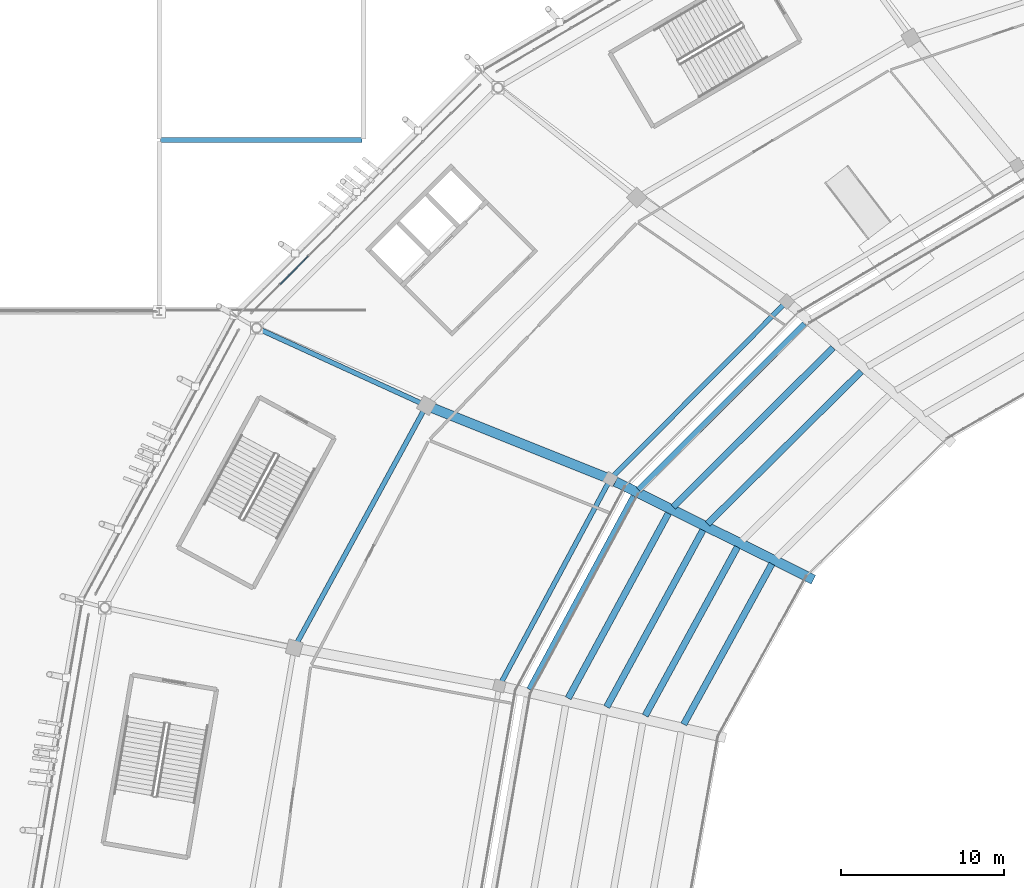
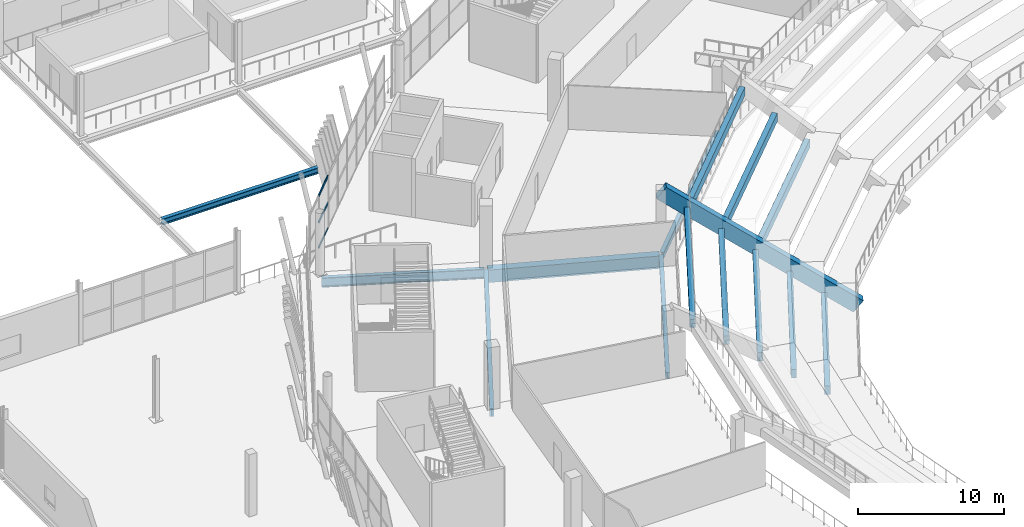
# One storey, part 46 of 178: 15 beams, 3 members, 1 element without a shape of its own.
"""IFC4 building model written with IfcOpenShell, lengths in metres."""

from ifc_helpers import new_model, si_unit, direction, frame, origin, origin_2d, place, context, subcontext, project, spatial, rectangle, i_section, extrude, material, material_profile, profile_set, type_object, element, aggregate, save


model = new_model("IFC4")

# Units and contexts
model_context = context("Model", 3, precision=1e-05, world=origin(), true_north=direction((0.0, 1.0)))
body_context = subcontext(model_context, "Body", "Model", "MODEL_VIEW")
ifc_project = project(units=[si_unit("LENGTHUNIT", "METRE"), si_unit("AREAUNIT", "SQUARE_METRE"), si_unit("VOLUMEUNIT", "CUBIC_METRE"), si_unit("PLANEANGLEUNIT", "RADIAN"), si_unit("MASSUNIT", "GRAM", prefix="KILO")], contexts=[model_context])

# Site, building, storey
site_placement = place(None, origin())
site = spatial("IfcSite", under=ifc_project, at=site_placement, CompositionType="ELEMENT")
building_placement = place(site_placement, origin())
building = spatial("IfcBuilding", under=site, at=building_placement, Name="Zlatoyarsky Gate Stadium", CompositionType="ELEMENT")
storey_placement = place(building_placement, frame((0.0, 0.0, 5.39990234375)))
storey = spatial("IfcBuildingStorey", under=building, at=storey_placement, Name="L01", CompositionType="ELEMENT", Elevation=5.39990234375)

# Curtain wall, members
ifc_material_1 = material(Name="Thermally broken anodised aluminium curtain wall", Category="aluminium")
curtain_wall_type = type_object("IfcCurtainWallType", Name="UNITISED HOSPITALITY GLAZING L01", PredefinedType="USERDEFINED", material=ifc_material_1)
curtain_wall_placement = place(storey_placement, origin())
curtain_wall = element("IfcCurtainWall", 1, at=curtain_wall_placement, inside=storey, type_object=curtain_wall_type, Name="Curtain wall CW-L01-09", ObjectType="UNITISED GLAZING", PredefinedType="USERDEFINED")
ifc_material_2 = material(Name="Anodised aluminium 6063-T6", Category="aluminium")
ifc_material_profile_1 = material_profile(ifc_material_2, rectangle(XDim=0.06494140625, YDim=0.139892578125, at=origin_2d()), Name="ALU 65X140")
ifc_profile_set_1 = profile_set([ifc_material_profile_1], Name="Anodised aluminium 6063-T6")
member_type = type_object("IfcMemberType", Name="ALUMINIUM TRANSOM 65X140", PredefinedType="USERDEFINED", material=ifc_profile_set_1)
member_1_placement = place(storey_placement, frame((33.61083984375, 119.884033203125, 0.03271484375), z_axis=(-0.707816167604, -0.70639668238, 0.0), x_axis=(0.70639668238, -0.707816167604, 0.0)))
member_1 = element("IfcMember", 2, at=member_1_placement, type_object=member_type, Name="CW-UG1 transom 7.1", ObjectType="TRANSOM", PredefinedType="USERDEFINED", context=body_context, shape_type="SweptSolid", body=[
    extrude(rectangle(XDim=0.06494140625, YDim=0.139892578125, at=origin_2d()), origin(), (0.0, 0.0, 1.0), 2.407958984375),
])
member_2_placement = place(storey_placement, frame((33.61083984375, 119.884033203125, 2.150146484375), z_axis=(-0.707816167604, -0.70639668238, 0.0), x_axis=(0.70639668238, -0.707816167604, 0.0)))
member_2 = element("IfcMember", 3, at=member_2_placement, type_object=member_type, Name="CW-UG1 transom 7.2", ObjectType="TRANSOM", PredefinedType="USERDEFINED", context=body_context, shape_type="SweptSolid", body=[
    extrude(rectangle(XDim=0.06494140625, YDim=0.139892578125, at=origin_2d()), origin(), (0.0, 0.0, 1.0), 2.407958984375),
])
member_3_placement = place(storey_placement, frame((33.61083984375, 119.884033203125, 4.36767578125), z_axis=(-0.707816167604, -0.70639668238, 0.0), x_axis=(0.70639668238, -0.707816167604, 0.0)))
member_3 = element("IfcMember", 4, at=member_3_placement, type_object=member_type, Name="CW-UG1 transom 7.3", ObjectType="TRANSOM", PredefinedType="USERDEFINED", context=body_context, shape_type="SweptSolid", body=[
    extrude(rectangle(XDim=0.06494140625, YDim=0.139892578125, at=origin_2d()), origin(), (0.0, 0.0, 1.0), 2.407958984375),
])
aggregate(curtain_wall, [member_1, member_2, member_3])

# Beams
ifc_material_3 = material(Name="Concrete C40/50", Category="concrete")
ifc_material_profile_2 = material_profile(ifc_material_3, rectangle(XDim=0.39990234375, YDim=0.699951171875, at=origin_2d()), Name="RC BEAM 400X700")
ifc_profile_set_2 = profile_set([ifc_material_profile_2], Name="Concrete C40/50")
beam_type_1 = type_object("IfcBeamType", Name="CONCRETE FLOOR BEAM 400X700", PredefinedType="BEAM", material=ifc_profile_set_2)
beam_1_placement = place(storey_placement, frame((67.462646484375, 112.83154296875, -0.419921875), z_axis=(-0.709916034949, -0.704286321976, 0.0), x_axis=(0.704286321976, -0.709916034949, 0.0)))
element("IfcBeam", 5, at=beam_1_placement, inside=storey, type_object=beam_type_1, Name="Lower bowl step tie beam 09.3", PredefinedType="BEAM", context=body_context, shape_type="SweptSolid", body=[
    extrude(rectangle(XDim=0.39990234375, YDim=0.699951171875, at=origin_2d()), origin(), (0.0, 0.0, 1.0), 13.226806640625),
])
beam_2_placement = place(storey_placement, frame((65.73779296875, 114.2880859375, 1.47998046875), z_axis=(-0.708440933022, -0.705770107343, 0.0), x_axis=(0.705770107343, -0.708440933022, 0.0)))
element("IfcBeam", 6, at=beam_2_placement, inside=storey, type_object=beam_type_1, Name="Lower bowl step tie beam 09.4", PredefinedType="BEAM", context=body_context, shape_type="SweptSolid", body=[
    extrude(rectangle(XDim=0.39990234375, YDim=0.699951171875, at=origin_2d()), origin(), (0.0, 0.0, 1.0), 13.802978515625),
])
beam_3_placement = place(storey_placement, frame((64.0126953125, 115.744140625, 3.380126953125), z_axis=(-0.707089801183, -0.707123760782, 0.0), x_axis=(0.707123760782, -0.707089801183, 0.0)))
element("IfcBeam", 7, at=beam_3_placement, inside=storey, type_object=beam_type_1, Name="Lower bowl step tie beam 09.5", PredefinedType="BEAM", context=body_context, shape_type="SweptSolid", body=[
    extrude(rectangle(XDim=0.39990234375, YDim=0.699951171875, at=origin_2d()), origin(), (0.0, 0.0, 1.0), 14.37841796875),
])
beam_4_placement = place(storey_placement, frame((62.001220703125, 101.060791015625, -4.219970703125), z_axis=(-0.48145139023, -0.876472794127, 0.0), x_axis=(0.876472794127, -0.48145139023, 0.0)))
element("IfcBeam", 8, at=beam_4_placement, inside=storey, type_object=beam_type_1, Name="Lower bowl step tie beam 10.1", PredefinedType="BEAM", context=body_context, shape_type="SweptSolid", body=[
    extrude(rectangle(XDim=0.39990234375, YDim=0.699951171875, at=origin_2d()), origin(), (0.0, 0.0, 1.0), 11.21142578125),
])
beam_5_placement = place(storey_placement, frame((59.888427734375, 102.090576171875, -2.31982421875), z_axis=(-0.479621127395, -0.877475682943, 0.0), x_axis=(0.877475682943, -0.479621127395, 0.0)))
element("IfcBeam", 9, at=beam_5_placement, inside=storey, type_object=beam_type_1, Name="Lower bowl step tie beam 10.2", PredefinedType="BEAM", context=body_context, shape_type="SweptSolid", body=[
    extrude(rectangle(XDim=0.39990234375, YDim=0.699951171875, at=origin_2d()), origin(), (0.0, 0.0, 1.0), 11.76416015625),
])
beam_6_placement = place(storey_placement, frame((57.77587890625, 103.120361328125, -0.419921875), z_axis=(-0.477953351943, -0.878385219233, 0.0), x_axis=(0.878385219233, -0.477953351943, 0.0)))
element("IfcBeam", 10, at=beam_6_placement, inside=storey, type_object=beam_type_1, Name="Lower bowl step tie beam 10.3", PredefinedType="BEAM", context=body_context, shape_type="SweptSolid", body=[
    extrude(rectangle(XDim=0.39990234375, YDim=0.699951171875, at=origin_2d()), origin(), (0.0, 0.0, 1.0), 12.317138671875),
])
beam_7_placement = place(storey_placement, frame((55.6630859375, 104.150146484375, 1.47998046875), z_axis=(-0.476412699591, -0.879221780706, 0.0), x_axis=(0.879221780706, -0.476412699591, 0.0)))
element("IfcBeam", 11, at=beam_7_placement, inside=storey, type_object=beam_type_1, Name="Lower bowl step tie beam 10.4", PredefinedType="BEAM", context=body_context, shape_type="SweptSolid", body=[
    extrude(rectangle(XDim=0.39990234375, YDim=0.699951171875, at=origin_2d()), origin(), (0.0, 0.0, 1.0), 12.869873046875),
])
beam_8_placement = place(storey_placement, frame((53.55029296875, 105.179931640625, 3.380126953125), z_axis=(-0.47500414589, -0.879983557453, 0.0), x_axis=(0.879983557453, -0.47500414589, 0.0)))
element("IfcBeam", 12, at=beam_8_placement, inside=storey, type_object=beam_type_1, Name="Lower bowl step tie beam 10.5", PredefinedType="BEAM", context=body_context, shape_type="SweptSolid", body=[
    extrude(rectangle(XDim=0.39990234375, YDim=0.699951171875, at=origin_2d()), origin(), (0.0, 0.0, 1.0), 13.423095703125),
])
ifc_material_profile_3 = material_profile(ifc_material_3, rectangle(XDim=0.60009765625, YDim=1.050048828125, at=origin_2d()), Name="RC GIRDER 600X1050")
ifc_profile_set_3 = profile_set([ifc_material_profile_3], Name="Concrete C40/50")
beam_type_2 = type_object("IfcBeamType", Name="CONCRETE PRIMARY GIRDER 600X1050", PredefinedType="T_BEAM", material=ifc_profile_set_3)
beam_9_placement = place(storey_placement, frame((51.998779296875, 106.29443359375, -0.824951171875), z_axis=(-0.928564503985, 0.371171068295, 0.0), x_axis=(-0.371171068295, -0.928564503985, 0.0)))
element("IfcBeam", 13, at=beam_9_placement, inside=storey, type_object=beam_type_2, Name="Beam G-RC105 BM-L01-RAB-10", PredefinedType="T_BEAM", context=body_context, shape_type="SweptSolid", body=[
    extrude(rectangle(XDim=0.60009765625, YDim=1.050048828125, at=origin_2d()), origin(), (0.0, 0.0, 1.0), 11.88427734375),
])
ifc_material_4 = material(Name="Precast concrete C40/50", Category="concrete")
ifc_material_profile_4 = material_profile(ifc_material_4, rectangle(XDim=0.60009765625, YDim=1.14990234375, at=origin_2d()), Name="PC RAKER 600X1150")
ifc_profile_set_4 = profile_set([ifc_material_profile_4], Name="Precast concrete C40/50")
beam_type_3 = type_object("IfcBeamType", Name="PRECAST LOWER BOWL RAKER 600X1150", PredefinedType="USERDEFINED", material=ifc_profile_set_4)
beam_10_placement = place(storey_placement, frame((64.234619140625, 100.25, -5.14990234375), z_axis=(-0.718167235443, 0.355403193215, 0.598267826469), x_axis=(-0.443535350711, -0.896256878729, 0.0)))
element("IfcBeam", 14, at=beam_10_placement, inside=storey, type_object=beam_type_3, Name="Lower bowl radial raker 10", ObjectType="RAKER", PredefinedType="USERDEFINED", context=body_context, shape_type="SweptSolid", body=[
    extrude(rectangle(XDim=0.60009765625, YDim=1.14990234375, at=origin_2d()), origin(), (0.0, 0.0, 1.0), 16.88232421875),
])
ifc_material_5 = material(Name="Steel S355", Category="steel")
ifc_material_profile_5 = material_profile(ifc_material_5, i_section(OverallWidth=0.300048828125, OverallDepth=0.5, WebThickness=0.014404296875, FlangeThickness=0.028076171875, FilletRadius=0.027099609375, at=origin_2d()), Name="HEB 500")
ifc_profile_set_5 = profile_set([ifc_material_profile_5], Name="Steel S355")
beam_type_4 = type_object("IfcBeamType", Name="STEEL PRIMARY GIRDER HEB 500", PredefinedType="BEAM", material=ifc_profile_set_5)
beam_11_placement = place(storey_placement, frame((62.83203125, 117.0380859375, -0.5498046875), z_axis=(-0.704927331607, -0.709279533861, 0.0), x_axis=(0.709279533861, -0.704927331607, 0.0)))
element("IfcBeam", 15, at=beam_11_placement, inside=storey, type_object=beam_type_4, Name="Beam G-HEB500 BM-L01-CRA-09", PredefinedType="BEAM", context=body_context, shape_type="SweptSolid", body=[
    extrude(i_section(OverallWidth=0.300048828125, OverallDepth=0.5, WebThickness=0.014404296875, FlangeThickness=0.028076171875, FilletRadius=0.027099609375, at=origin_2d()), origin(), (0.0, 0.0, 1.0), 15.08984375),
])
beam_12_placement = place(storey_placement, frame((52.0537109375, 106.144287109375, -0.5498046875), z_axis=(-0.472766984781, -0.881187481812, 0.0), x_axis=(0.881187481812, -0.472766984781, 0.0)))
element("IfcBeam", 16, at=beam_12_placement, inside=storey, type_object=beam_type_4, Name="Beam G-HEB500 BM-L01-CRA-10", PredefinedType="BEAM", context=body_context, shape_type="SweptSolid", body=[
    extrude(i_section(OverallWidth=0.300048828125, OverallDepth=0.5, WebThickness=0.014404296875, FlangeThickness=0.028076171875, FilletRadius=0.027099609375, at=origin_2d()), origin(), (0.0, 0.0, 1.0), 14.12939453125),
])
beam_13_placement = place(storey_placement, frame((24.580078125, 127.0, -0.5498046875), z_axis=(1.0, 0.0, 0.0), x_axis=(0.0, 1.0, 0.0)))
element("IfcBeam", 17, at=beam_13_placement, inside=storey, type_object=beam_type_4, Name="Beam G-HEB500 BM-L01-WGX-3-M", PredefinedType="BEAM", context=body_context, shape_type="SweptSolid", body=[
    extrude(i_section(OverallWidth=0.300048828125, OverallDepth=0.5, WebThickness=0.014404296875, FlangeThickness=0.028076171875, FilletRadius=0.027099609375, at=origin_2d()), origin(), (0.0, 0.0, 1.0), 12.33984375),
])
ifc_material_profile_6 = material_profile(ifc_material_5, i_section(OverallWidth=0.300048828125, OverallDepth=0.699951171875, WebThickness=0.01708984375, FlangeThickness=0.031982421875, FilletRadius=0.027099609375, at=origin_2d()), Name="HEB 700")
ifc_profile_set_6 = profile_set([ifc_material_profile_6], Name="Steel S355")
beam_type_5 = type_object("IfcBeamType", Name="STEEL PRIMARY GIRDER HEB 700", PredefinedType="BEAM", material=ifc_profile_set_6)
beam_14_placement = place(storey_placement, frame((40.79443359375, 110.644775390625, -0.64990234375), z_axis=(-0.478915800408, -0.877860840976, 0.0), x_axis=(0.877860840976, -0.478915800408, 0.0)))
element("IfcBeam", 18, at=beam_14_placement, inside=storey, type_object=beam_type_5, Name="Beam G-HEB700 BM-L01-CRB-10", PredefinedType="BEAM", context=body_context, shape_type="SweptSolid", body=[
    extrude(i_section(OverallWidth=0.300048828125, OverallDepth=0.699951171875, WebThickness=0.01708984375, FlangeThickness=0.031982421875, FilletRadius=0.027099609375, at=origin_2d()), origin(), (0.0, 0.0, 1.0), 16.656494140625),
])
ifc_material_profile_7 = material_profile(ifc_material_5, i_section(OverallWidth=0.300048828125, OverallDepth=0.800048828125, WebThickness=0.017578125, FlangeThickness=0.032958984375, FilletRadius=0.030029296875, at=origin_2d()), Name="HEB 800")
ifc_profile_set_7 = profile_set([ifc_material_profile_7], Name="Steel S355")
beam_type_6 = type_object("IfcBeamType", Name="STEEL PRIMARY GIRDER HEB 800", PredefinedType="BEAM", material=ifc_profile_set_7)
beam_15_placement = place(storey_placement, frame((40.742919921875, 110.7998046875, -0.699951171875), z_axis=(-0.909498994842, 0.415706120213, 0.0), x_axis=(-0.415706120213, -0.909498994842, 0.0)))
element("IfcBeam", 19, at=beam_15_placement, inside=storey, type_object=beam_type_6, Name="Beam G-HEB800 BM-L01-RBC-10", PredefinedType="BEAM", context=body_context, shape_type="SweptSolid", body=[
    extrude(i_section(OverallWidth=0.300048828125, OverallDepth=0.800048828125, WebThickness=0.017578125, FlangeThickness=0.032958984375, FilletRadius=0.030029296875, at=origin_2d()), origin(), (0.0, 0.0, 1.0), 11.186767578125),
])

save(model, "model.ifc")
